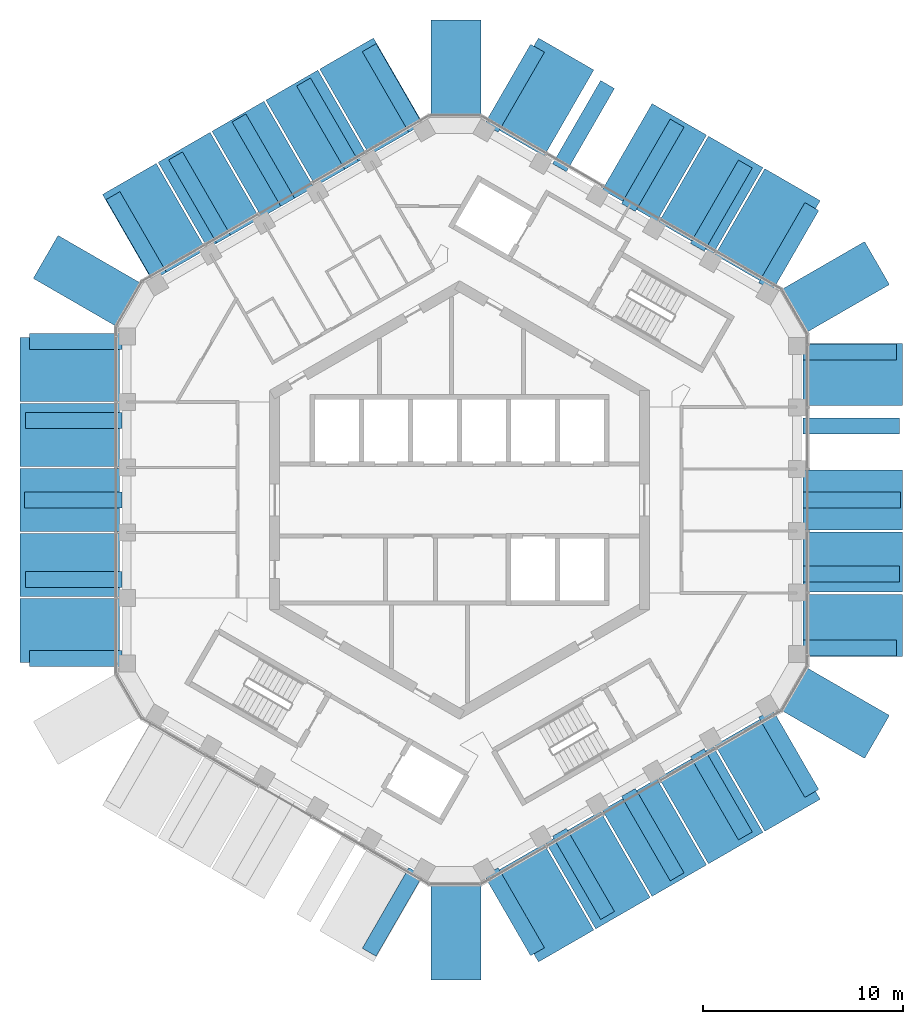
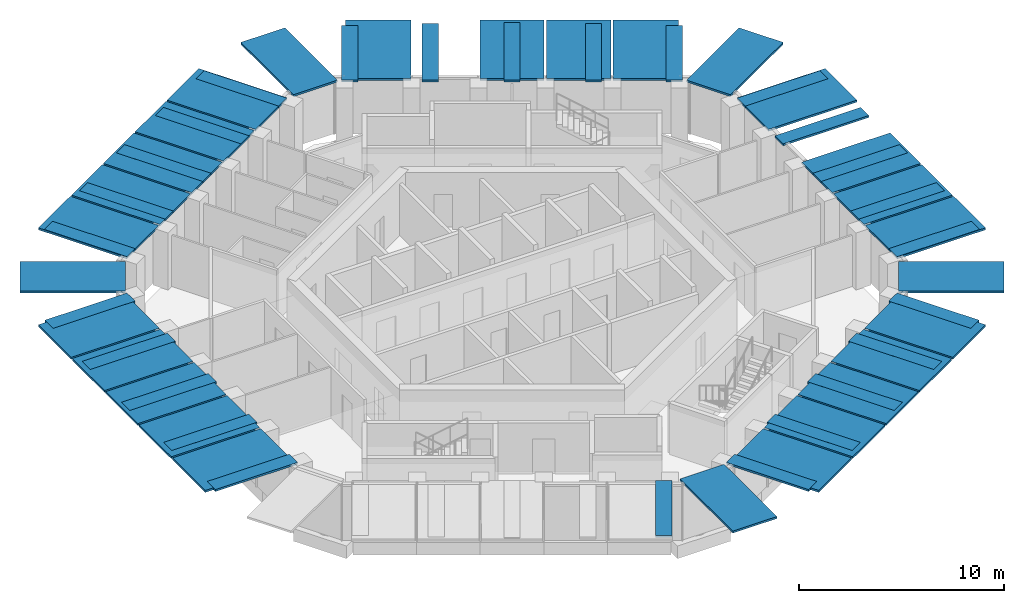
# One storey, part 15 of 17: 54 discrete accessories.
"""IFC4 building model written with IfcOpenShell, lengths in metres."""

from ifc_helpers import new_model, si_unit, direction, frame, origin, origin_2d, place, context, subcontext, project, spatial, polyline, rectangle, outline, extrude, material, layer, layer_set, type_object, element, save


model = new_model("IFC4")

# Units and contexts
model_context = context("Model", 3, precision=1e-05, world=origin(), true_north=direction((0.0, 1.0)))
body_context = subcontext(model_context, "Body", "Model", "MODEL_VIEW")
ifc_project = project(units=[si_unit("LENGTHUNIT", "METRE"), si_unit("AREAUNIT", "SQUARE_METRE"), si_unit("VOLUMEUNIT", "CUBIC_METRE"), si_unit("PLANEANGLEUNIT", "RADIAN"), si_unit("MASSUNIT", "GRAM", prefix="KILO")], contexts=[model_context])

# Site, building, storey
site_placement = place(None, origin())
site = spatial("IfcSite", under=ifc_project, at=site_placement, CompositionType="ELEMENT")
building_placement = place(site_placement, origin())
building = spatial("IfcBuilding", under=site, at=building_placement, Name="Ayvan Gate Tower", CompositionType="ELEMENT")
storey_placement = place(building_placement, frame((0.0, 0.0, 232.5)))
storey = spatial("IfcBuildingStorey", under=building, at=storey_placement, Name="L62", CompositionType="ELEMENT", Elevation=232.5)

# Discrete accessories
ifc_material = material(Name="Stainless steel 316", Category="steel")
ifc_layer = layer(ifc_material, 0.1201171875)
ifc_layer_set = layer_set([ifc_layer], Name="Stainless steel 316")
discrete_accessory_type = type_object("IfcDiscreteAccessoryType", Name="Fin carrier bracket", PredefinedType="BRACKET", material=ifc_layer_set)
discrete_accessory_1_placement = place(storey_placement, frame((-19.20458984375, -7.920654296875, 3.280029296875), z_axis=(0.0, 0.0, 1.0), x_axis=(0.0, -1.0, 0.0)))
element("IfcDiscreteAccessory", 1, at=discrete_accessory_1_placement, inside=storey, type_object=discrete_accessory_type, Name="Fin carrier 150", PredefinedType="BRACKET", context=body_context, shape_type="SweptSolid", body=[
    extrude(rectangle(XDim=0.800048828125, YDim=4.627685546875, at=origin_2d()), origin(), (0.0, 0.0, 1.0), 0.1201171875),
])
discrete_accessory_2_placement = place(storey_placement, frame((-19.295166015625, -3.9794921875, 3.280029296875), z_axis=(0.0, 0.0, 1.0), x_axis=(0.0, -1.0, 0.0)))
element("IfcDiscreteAccessory", 2, at=discrete_accessory_2_placement, inside=storey, type_object=discrete_accessory_type, Name="Fin carrier 158", PredefinedType="BRACKET", context=body_context, shape_type="SweptSolid", body=[
    extrude(rectangle(XDim=0.800048828125, YDim=4.80859375, at=origin_2d()), origin(), (0.0, 0.0, 1.0), 0.1201171875),
])
discrete_accessory_3_placement = place(storey_placement, frame((-19.328125, -0.000244140625, 3.280029296875), z_axis=(0.0, 0.0, 1.0), x_axis=(0.0, -1.0, 0.0)))
element("IfcDiscreteAccessory", 3, at=discrete_accessory_3_placement, inside=storey, type_object=discrete_accessory_type, Name="Fin carrier 167", PredefinedType="BRACKET", context=body_context, shape_type="SweptSolid", body=[
    extrude(rectangle(XDim=0.800048828125, YDim=4.875, at=origin_2d()), origin(), (0.0, 0.0, 1.0), 0.1201171875),
])
discrete_accessory_4_placement = place(storey_placement, frame((-19.295166015625, 3.979248046875, 3.280029296875), z_axis=(0.0, 0.0, 1.0), x_axis=(0.0, -1.0, 0.0)))
element("IfcDiscreteAccessory", 4, at=discrete_accessory_4_placement, inside=storey, type_object=discrete_accessory_type, Name="Fin carrier 175", PredefinedType="BRACKET", context=body_context, shape_type="SweptSolid", body=[
    extrude(rectangle(XDim=0.800048828125, YDim=4.80859375, at=origin_2d()), origin(), (0.0, 0.0, 1.0), 0.1201171875),
])
discrete_accessory_5_placement = place(storey_placement, frame((-19.20458984375, 7.92041015625, 3.280029296875), z_axis=(0.0, 0.0, 1.0), x_axis=(0.0, -1.0, 0.0)))
element("IfcDiscreteAccessory", 5, at=discrete_accessory_5_placement, inside=storey, type_object=discrete_accessory_type, Name="Fin carrier 183", PredefinedType="BRACKET", context=body_context, shape_type="SweptSolid", body=[
    extrude(rectangle(XDim=0.800048828125, YDim=4.627685546875, at=origin_2d()), origin(), (0.0, 0.0, 1.0), 0.1201171875),
])
discrete_accessory_6_placement = place(storey_placement, frame((-16.16748046875, 13.2041015625, 3.280029296875), z_axis=(0.0, 0.0, 1.0), x_axis=(-0.866025403784, -0.5, 0.0)))
element("IfcDiscreteAccessory", 6, at=discrete_accessory_6_placement, inside=storey, type_object=discrete_accessory_type, Name="Fin carrier 237", PredefinedType="BRACKET", context=body_context, shape_type="SweptSolid", body=[
    extrude(rectangle(XDim=0.800048828125, YDim=4.662841796875, at=origin_2d()), origin(), (0.0, 0.0, 1.0), 0.1201171875),
])
discrete_accessory_7_placement = place(storey_placement, frame((-12.99951171875, 15.12353515625, 3.280029296875), z_axis=(0.0, 0.0, 1.0), x_axis=(-0.866025403784, -0.5, 0.0)))
element("IfcDiscreteAccessory", 7, at=discrete_accessory_7_placement, inside=storey, type_object=discrete_accessory_type, Name="Fin carrier 299", PredefinedType="BRACKET", context=body_context, shape_type="SweptSolid", body=[
    extrude(rectangle(XDim=0.800048828125, YDim=4.819091796875, at=origin_2d()), origin(), (0.0, 0.0, 1.0), 0.1201171875),
])
discrete_accessory_8_placement = place(storey_placement, frame((-9.8125, 16.99560546875, 3.280029296875), z_axis=(0.0, 0.0, 1.0), x_axis=(-0.866025403784, -0.5, 0.0)))
element("IfcDiscreteAccessory", 8, at=discrete_accessory_8_placement, inside=storey, type_object=discrete_accessory_type, Name="Fin carrier 368", PredefinedType="BRACKET", context=body_context, shape_type="SweptSolid", body=[
    extrude(rectangle(XDim=0.800048828125, YDim=4.875, at=origin_2d()), origin(), (0.0, 0.0, 1.0), 0.1201171875),
])
discrete_accessory_9_placement = place(storey_placement, frame((-6.59765625, 18.819580078125, 3.280029296875), z_axis=(0.0, 0.0, 1.0), x_axis=(-0.866025403784, -0.5, 0.0)))
element("IfcDiscreteAccessory", 9, at=discrete_accessory_9_placement, inside=storey, type_object=discrete_accessory_type, Name="Fin carrier 430", PredefinedType="BRACKET", context=body_context, shape_type="SweptSolid", body=[
    extrude(rectangle(XDim=0.800048828125, YDim=4.819091796875, at=origin_2d()), origin(), (0.0, 0.0, 1.0), 0.1201171875),
])
for number, where, z_axis, x_axis, name in (
    (10, (-3.3515625, -20.603515625, 3.280029296875), (0.0, 0.0, 1.0), (0.866025403784, -0.5, 0.0), "Fin carrier 483"),
    (11, (-3.3515625, 20.603515625, 3.280029296875), (0.0, 0.0, 1.0), (-0.866025403784, -0.5, 0.0), "Fin carrier 495"),
):
    element("IfcDiscreteAccessory", number, at=place(storey_placement, frame(where, z_axis=z_axis, x_axis=x_axis)), inside=storey, type_object=discrete_accessory_type, Name=name, PredefinedType="BRACKET", context=body_context, shape_type="SweptSolid", body=[
        extrude(rectangle(XDim=0.800048828125, YDim=4.662841796875, at=origin_2d()), origin(), (0.0, 0.0, 1.0), 0.1201171875),
    ])
for number, where, z_axis, x_axis, name in (
    (12, (2.742919921875, -20.592041015625, 3.280029296875), (0.0, 0.0, 1.0), (0.866025403784, 0.5, 0.0), "Fin carrier 541"),
    (13, (2.742919921875, 20.592041015625, 3.280029296875), (0.0, 0.0, 1.0), (-0.866025403784, 0.5, 0.0), "Fin carrier 555"),
):
    element("IfcDiscreteAccessory", number, at=place(storey_placement, frame(where, z_axis=z_axis, x_axis=x_axis)), inside=storey, type_object=discrete_accessory_type, Name=name, PredefinedType="BRACKET", context=body_context, shape_type="SweptSolid", body=[
        extrude(rectangle(XDim=0.800048828125, YDim=4.627685546875, at=origin_2d()), origin(), (0.0, 0.0, 1.0), 0.1201171875),
    ])
for number, where, z_axis, x_axis, name in (
    (14, (6.201416015625, -18.69970703125, 3.280029296875), (0.0, 0.0, 1.0), (0.866025403784, 0.5, 0.0), "Fin carrier 601"),
    (15, (6.201171875, 18.69970703125, 3.280029296875), (0.0, 0.0, 1.0), (-0.866025403784, 0.5, 0.0), "Fin carrier 616"),
):
    element("IfcDiscreteAccessory", number, at=place(storey_placement, frame(where, z_axis=z_axis, x_axis=x_axis)), inside=storey, type_object=discrete_accessory_type, Name=name, PredefinedType="BRACKET", context=body_context, shape_type="SweptSolid", body=[
        extrude(rectangle(XDim=0.800048828125, YDim=4.80859375, at=origin_2d()), origin(), (0.0, 0.0, 1.0), 0.1201171875),
    ])
for number, where, z_axis, x_axis, name in (
    (16, (9.664306640625, -16.73876953125, 3.280029296875), (0.0, 0.0, 1.0), (0.866025403784, 0.5, 0.0), "Fin carrier 663"),
    (17, (9.6640625, 16.73876953125, 3.280029296875), (0.0, 0.0, 1.0), (-0.866025403784, 0.5, 0.0), "Fin carrier 680"),
):
    element("IfcDiscreteAccessory", number, at=place(storey_placement, frame(where, z_axis=z_axis, x_axis=x_axis)), inside=storey, type_object=discrete_accessory_type, Name=name, PredefinedType="BRACKET", context=body_context, shape_type="SweptSolid", body=[
        extrude(rectangle(XDim=0.800048828125, YDim=4.875, at=origin_2d()), origin(), (0.0, 0.0, 1.0), 0.1201171875),
    ])
for number, where, z_axis, x_axis, name in (
    (18, (13.093994140625, -14.72021484375, 3.280029296875), (0.0, 0.0, 1.0), (0.866025403784, 0.5, 0.0), "Fin carrier 732"),
    (19, (13.09375, 14.720458984375, 3.280029296875), (0.0, 0.0, 1.0), (-0.866025403784, 0.5, 0.0), "Fin carrier 743"),
):
    element("IfcDiscreteAccessory", number, at=place(storey_placement, frame(where, z_axis=z_axis, x_axis=x_axis)), inside=storey, type_object=discrete_accessory_type, Name=name, PredefinedType="BRACKET", context=body_context, shape_type="SweptSolid", body=[
        extrude(rectangle(XDim=0.800048828125, YDim=4.80859375, at=origin_2d()), origin(), (0.0, 0.0, 1.0), 0.1201171875),
    ])
for number, where, z_axis, x_axis, name in (
    (20, (16.461669921875, -12.67138671875, 3.280029296875), (0.0, 0.0, 1.0), (0.866025403784, 0.5, 0.0), "Fin carrier 798"),
    (21, (16.461669921875, 12.67138671875, 3.280029296875), (0.0, 0.0, 1.0), (-0.866025403784, 0.5, 0.0), "Fin carrier 806"),
):
    element("IfcDiscreteAccessory", number, at=place(storey_placement, frame(where, z_axis=z_axis, x_axis=x_axis)), inside=storey, type_object=discrete_accessory_type, Name=name, PredefinedType="BRACKET", context=body_context, shape_type="SweptSolid", body=[
        extrude(rectangle(XDim=0.800048828125, YDim=4.627685546875, at=origin_2d()), origin(), (0.0, 0.0, 1.0), 0.1201171875),
    ])
discrete_accessory_10_placement = place(storey_placement, frame((19.518798828125, -7.399169921875, 3.280029296875), z_axis=(0.0, 0.0, 1.0), x_axis=(0.0, 1.0, 0.0)))
element("IfcDiscreteAccessory", 22, at=discrete_accessory_10_placement, inside=storey, type_object=discrete_accessory_type, Name="Fin carrier 835", PredefinedType="BRACKET", context=body_context, shape_type="SweptSolid", body=[
    extrude(rectangle(XDim=0.800048828125, YDim=4.662841796875, at=origin_2d()), origin(), (0.0, 0.0, 1.0), 0.1201171875),
])
discrete_accessory_11_placement = place(storey_placement, frame((19.59716796875, -3.696044921875, 3.280029296875), z_axis=(0.0, 0.0, 1.0), x_axis=(0.0, 1.0, 0.0)))
element("IfcDiscreteAccessory", 23, at=discrete_accessory_11_placement, inside=storey, type_object=discrete_accessory_type, Name="Fin carrier 846", PredefinedType="BRACKET", context=body_context, shape_type="SweptSolid", body=[
    extrude(rectangle(XDim=0.800048828125, YDim=4.819091796875, at=origin_2d()), origin(), (0.0, 0.0, 1.0), 0.1201171875),
])
discrete_accessory_12_placement = place(storey_placement, frame((19.625, 0.0, 3.280029296875), z_axis=(0.0, 0.0, 1.0), x_axis=(0.0, 1.0, 0.0)))
element("IfcDiscreteAccessory", 24, at=discrete_accessory_12_placement, inside=storey, type_object=discrete_accessory_type, Name="Fin carrier 859", PredefinedType="BRACKET", context=body_context, shape_type="SweptSolid", body=[
    extrude(rectangle(XDim=0.800048828125, YDim=4.875, at=origin_2d()), origin(), (0.0, 0.0, 1.0), 0.1201171875),
])
discrete_accessory_13_placement = place(storey_placement, frame((19.59716796875, 3.6962890625, 3.280029296875), z_axis=(0.0, 0.0, 1.0), x_axis=(0.0, 1.0, 0.0)))
element("IfcDiscreteAccessory", 25, at=discrete_accessory_13_placement, inside=storey, type_object=discrete_accessory_type, Name="Fin carrier 870", PredefinedType="BRACKET", context=body_context, shape_type="SweptSolid", body=[
    extrude(rectangle(XDim=0.800048828125, YDim=4.819091796875, at=origin_2d()), origin(), (0.0, 0.0, 1.0), 0.1201171875),
])
discrete_accessory_14_placement = place(storey_placement, frame((19.518798828125, 7.399169921875, 3.280029296875), z_axis=(0.0, 0.0, 1.0), x_axis=(0.0, 1.0, 0.0)))
element("IfcDiscreteAccessory", 26, at=discrete_accessory_14_placement, inside=storey, type_object=discrete_accessory_type, Name="Fin carrier 883", PredefinedType="BRACKET", context=body_context, shape_type="SweptSolid", body=[
    extrude(rectangle(XDim=0.800048828125, YDim=4.662841796875, at=origin_2d()), origin(), (0.0, 0.0, 1.0), 0.1201171875),
])
discrete_accessory_15_placement = place(storey_placement, frame((0.0, 0.0, 3.280029296875)))
element("IfcDiscreteAccessory", 27, at=discrete_accessory_15_placement, inside=storey, type_object=discrete_accessory_type, Name="Fin carrier 1142", PredefinedType="BRACKET", context=body_context, shape_type="SweptSolid", body=[
    extrude(outline(polyline([(-4.5048828125, 17.24560546875), (-6.9921875, 21.553955078125), (-4.30322265625, 23.1064453125), (-1.81591796875, 18.798095703125), (-1.839599609375, 18.784423828125), (-4.1708984375, 22.822509765625), (-4.86376953125, 22.422607421875), (-2.5322265625, 18.384521484375), (-4.5048828125, 17.24560546875)])), origin(), (0.0, 0.0, 1.0), 0.119873046875),
])
discrete_accessory_16_placement = place(storey_placement, frame((0.0, 0.0, 3.280029296875)))
element("IfcDiscreteAccessory", 28, at=discrete_accessory_16_placement, inside=storey, type_object=discrete_accessory_type, Name="Fin carrier 1143", PredefinedType="BRACKET", context=body_context, shape_type="SweptSolid", body=[
    extrude(outline(polyline([(-7.087646484375, 21.4990234375), (-4.60009765625, 17.1904296875), (-7.198974609375, 15.68994140625), (-9.6865234375, 19.99853515625), (-7.087646484375, 21.4990234375)])), origin(), (0.0, 0.0, 1.0), 0.119873046875),
])
discrete_accessory_17_placement = place(storey_placement, frame((0.0, 0.0, 3.280029296875)))
element("IfcDiscreteAccessory", 29, at=discrete_accessory_17_placement, inside=storey, type_object=discrete_accessory_type, Name="Fin carrier 1144", PredefinedType="BRACKET", context=body_context, shape_type="SweptSolid", body=[
    extrude(outline(polyline([(-9.78173828125, 19.943603515625), (-7.294189453125, 15.635009765625), (-9.893310546875, 14.134521484375), (-12.380615234375, 18.443115234375), (-9.78173828125, 19.943603515625)])), origin(), (0.0, 0.0, 1.0), 0.119873046875),
])
discrete_accessory_18_placement = place(storey_placement, frame((0.0, 0.0, 3.280029296875)))
element("IfcDiscreteAccessory", 30, at=discrete_accessory_18_placement, inside=storey, type_object=discrete_accessory_type, Name="Fin carrier 1145", PredefinedType="BRACKET", context=body_context, shape_type="SweptSolid", body=[
    extrude(outline(polyline([(-12.47607421875, 18.387939453125), (-9.988525390625, 14.07958984375), (-12.58740234375, 12.5791015625), (-15.074951171875, 16.887451171875), (-12.47607421875, 18.387939453125)])), origin(), (0.0, 0.0, 1.0), 0.119873046875),
])
discrete_accessory_19_placement = place(storey_placement, frame((0.0, 0.0, 3.280029296875)))
element("IfcDiscreteAccessory", 31, at=discrete_accessory_19_placement, inside=storey, type_object=discrete_accessory_type, Name="Fin carrier 1146", PredefinedType="BRACKET", context=body_context, shape_type="SweptSolid", body=[
    extrude(outline(polyline([(-15.170166015625, 16.83251953125), (-12.6826171875, 12.52392578125), (-15.37158203125, 10.9716796875), (-17.859130859375, 15.280029296875), (-15.170166015625, 16.83251953125)])), origin(), (0.0, 0.0, 1.0), 0.119873046875),
])
discrete_accessory_20_placement = place(storey_placement, frame((0.0, 0.0, 3.280029296875)))
element("IfcDiscreteAccessory", 32, at=discrete_accessory_20_placement, inside=storey, type_object=discrete_accessory_type, Name="Fin carrier 1147", PredefinedType="BRACKET", context=body_context, shape_type="SweptSolid", body=[
    extrude(outline(polyline([(-20.081787109375, 13.233154296875), (-15.62841796875, 10.662109375), (-16.869873046875, 8.51220703125), (-21.322998046875, 11.083251953125), (-20.081787109375, 13.233154296875)])), origin(), (0.0, 0.0, 1.0), 0.119873046875),
])
discrete_accessory_21_placement = place(storey_placement, frame((0.0, 0.0, 3.280029296875)))
element("IfcDiscreteAccessory", 33, at=discrete_accessory_21_placement, inside=storey, type_object=discrete_accessory_type, Name="Fin carrier 1148", PredefinedType="BRACKET", context=body_context, shape_type="SweptSolid", body=[
    extrude(outline(polyline([(-17.009521484375, 4.93798828125), (-21.984619140625, 4.93798828125), (-21.984619140625, 8.135009765625), (-21.5185546875, 8.135009765625), (-21.5185546875, 7.5205078125), (-17.009521484375, 7.5205078125), (-17.009521484375, 4.93798828125)])), origin(), (0.0, 0.0, 1.0), 0.119873046875),
])
discrete_accessory_22_placement = place(storey_placement, frame((0.0, 0.0, 3.280029296875)))
element("IfcDiscreteAccessory", 34, at=discrete_accessory_22_placement, inside=storey, type_object=discrete_accessory_type, Name="Fin carrier 1149", PredefinedType="BRACKET", context=body_context, shape_type="SweptSolid", body=[
    extrude(outline(polyline([(-17.009521484375, 1.682861328125), (-21.984619140625, 1.682861328125), (-21.984619140625, 4.827880859375), (-17.009521484375, 4.827880859375), (-17.009521484375, 4.379150390625), (-21.699462890625, 4.379150390625), (-21.699462890625, 3.5791015625), (-17.009521484375, 3.5791015625), (-17.009521484375, 1.682861328125)])), origin(), (0.0, 0.0, 1.0), 0.119873046875),
])
discrete_accessory_23_placement = place(storey_placement, frame((0.0, 0.0, 3.280029296875)))
element("IfcDiscreteAccessory", 35, at=discrete_accessory_23_placement, inside=storey, type_object=discrete_accessory_type, Name="Fin carrier 1150", PredefinedType="BRACKET", context=body_context, shape_type="SweptSolid", body=[
    extrude(outline(polyline([(-17.009521484375, -1.572021484375), (-21.984619140625, -1.572021484375), (-21.984619140625, 1.572998046875), (-17.009521484375, 1.572998046875), (-17.009521484375, 0.39990234375), (-21.765625, 0.39990234375), (-21.765625, -0.400146484375), (-17.009521484375, -0.400146484375), (-17.009521484375, -1.572021484375)])), origin(), (0.0, 0.0, 1.0), 0.119873046875),
])
discrete_accessory_24_placement = place(storey_placement, frame((0.0, 0.0, 3.280029296875)))
element("IfcDiscreteAccessory", 36, at=discrete_accessory_24_placement, inside=storey, type_object=discrete_accessory_type, Name="Fin carrier 1151", PredefinedType="BRACKET", context=body_context, shape_type="SweptSolid", body=[
    extrude(outline(polyline([(-17.009521484375, -4.828125), (-21.984619140625, -4.828125), (-21.984619140625, -1.68212890625), (-17.009521484375, -1.68212890625), (-17.009521484375, -3.57958984375), (-21.699462890625, -3.57958984375), (-21.699462890625, -4.37939453125), (-17.009521484375, -4.37939453125), (-17.009521484375, -4.828125)])), origin(), (0.0, 0.0, 1.0), 0.119873046875),
])
discrete_accessory_25_placement = place(storey_placement, frame((0.0, 0.0, 3.280029296875)))
element("IfcDiscreteAccessory", 37, at=discrete_accessory_25_placement, inside=storey, type_object=discrete_accessory_type, Name="Fin carrier 1152", PredefinedType="BRACKET", context=body_context, shape_type="SweptSolid", body=[
    extrude(outline(polyline([(-21.984619140625, -8.135009765625), (-21.984619140625, -4.93798828125), (-17.009521484375, -4.93798828125), (-17.009521484375, -7.5205078125), (-21.5185546875, -7.5205078125), (-21.5185546875, -8.135009765625), (-21.984619140625, -8.135009765625)])), origin(), (0.0, 0.0, 1.0), 0.119873046875),
])
discrete_accessory_26_placement = place(storey_placement, frame((0.0, 0.0, 3.280029296875)))
element("IfcDiscreteAccessory", 38, at=discrete_accessory_26_placement, inside=storey, type_object=discrete_accessory_type, Name="Fin carrier 1158", PredefinedType="BRACKET", context=body_context, shape_type="SweptSolid", body=[
    extrude(outline(polyline([(-1.419189453125, -24.0078125), (-1.419189453125, -18.86572265625), (1.063232421875, -18.86572265625), (1.063232421875, -24.0078125), (-1.419189453125, -24.0078125)])), origin(), (0.0, 0.0, 1.0), 0.119873046875),
])
discrete_accessory_27_placement = place(storey_placement, frame((0.0, 0.0, 3.280029296875)))
element("IfcDiscreteAccessory", 39, at=discrete_accessory_27_placement, inside=storey, type_object=discrete_accessory_type, Name="Fin carrier 1159", PredefinedType="BRACKET", context=body_context, shape_type="SweptSolid", body=[
    extrude(outline(polyline([(4.228515625, -17.199462890625), (6.7158203125, -21.508056640625), (3.947265625, -23.1064453125), (3.71435546875, -22.702880859375), (4.246337890625, -22.395751953125), (1.99169921875, -18.49072265625), (4.228515625, -17.199462890625)])), origin(), (0.0, 0.0, 1.0), 0.119873046875),
])
discrete_accessory_28_placement = place(storey_placement, frame((0.0, 0.0, 3.280029296875)))
element("IfcDiscreteAccessory", 40, at=discrete_accessory_28_placement, inside=storey, type_object=discrete_accessory_type, Name="Fin carrier 1160", PredefinedType="BRACKET", context=body_context, shape_type="SweptSolid", body=[
    extrude(outline(polyline([(7.04736328125, -15.572021484375), (9.534912109375, -19.880615234375), (6.811279296875, -21.452880859375), (4.32373046875, -17.14453125), (4.712158203125, -16.920166015625), (7.05712890625, -20.98193359375), (7.75, -20.581787109375), (5.405029296875, -16.520263671875), (7.04736328125, -15.572021484375)])), origin(), (0.0, 0.0, 1.0), 0.119873046875),
])
discrete_accessory_29_placement = place(storey_placement, frame((0.0, 0.0, 3.280029296875)))
element("IfcDiscreteAccessory", 41, at=discrete_accessory_29_placement, inside=storey, type_object=discrete_accessory_type, Name="Fin carrier 1161", PredefinedType="BRACKET", context=body_context, shape_type="SweptSolid", body=[
    extrude(outline(polyline([(9.8662109375, -13.944580078125), (12.353759765625, -18.2529296875), (9.630126953125, -19.825439453125), (7.142578125, -15.51708984375), (8.158447265625, -14.9306640625), (10.53662109375, -19.049560546875), (11.2294921875, -18.6494140625), (8.851318359375, -14.530517578125), (9.8662109375, -13.944580078125)])), origin(), (0.0, 0.0, 1.0), 0.119873046875),
])
discrete_accessory_30_placement = place(storey_placement, frame((0.0, 0.0, 3.280029296875)))
element("IfcDiscreteAccessory", 42, at=discrete_accessory_30_placement, inside=storey, type_object=discrete_accessory_type, Name="Fin carrier 1162", PredefinedType="BRACKET", context=body_context, shape_type="SweptSolid", body=[
    extrude(outline(polyline([(12.68603515625, -12.31640625), (15.173583984375, -16.625), (12.448974609375, -18.197998046875), (9.96142578125, -13.889404296875), (11.604736328125, -12.94091796875), (13.94970703125, -17.00244140625), (14.642578125, -16.6025390625), (12.297607421875, -12.541015625), (12.68603515625, -12.31640625)])), origin(), (0.0, 0.0, 1.0), 0.119873046875),
])
discrete_accessory_31_placement = place(storey_placement, frame((0.0, 0.0, 3.280029296875)))
element("IfcDiscreteAccessory", 43, at=discrete_accessory_31_placement, inside=storey, type_object=discrete_accessory_type, Name="Fin carrier 1163", PredefinedType="BRACKET", context=body_context, shape_type="SweptSolid", body=[
    extrude(outline(polyline([(18.037109375, -14.9716796875), (15.268798828125, -16.570068359375), (12.78125, -12.261474609375), (15.017578125, -10.97021484375), (17.272216796875, -14.875244140625), (17.80419921875, -14.568115234375), (18.037109375, -14.9716796875)])), origin(), (0.0, 0.0, 1.0), 0.119873046875),
])
discrete_accessory_32_placement = place(storey_placement, frame((0.0, 0.0, 3.280029296875)))
element("IfcDiscreteAccessory", 44, at=discrete_accessory_32_placement, inside=storey, type_object=discrete_accessory_type, Name="Fin carrier 1164", PredefinedType="BRACKET", context=body_context, shape_type="SweptSolid", body=[
    extrude(outline(polyline([(20.259765625, -12.9248046875), (15.806640625, -10.353759765625), (17.0478515625, -8.20361328125), (21.501220703125, -10.77490234375), (20.259765625, -12.9248046875)])), origin(), (0.0, 0.0, 1.0), 0.119873046875),
])
discrete_accessory_33_placement = place(storey_placement, frame((0.0, 0.0, 3.280029296875)))
element("IfcDiscreteAccessory", 45, at=discrete_accessory_33_placement, inside=storey, type_object=discrete_accessory_type, Name="Fin carrier 1165", PredefinedType="BRACKET", context=body_context, shape_type="SweptSolid", body=[
    extrude(outline(polyline([(22.16259765625, -7.826416015625), (17.1875, -7.826416015625), (17.1875, -4.721435546875), (22.16259765625, -4.721435546875), (22.16259765625, -7.826416015625)])), origin(), (0.0, 0.0, 1.0), 0.119873046875),
])
discrete_accessory_34_placement = place(storey_placement, frame((0.0, 0.0, 3.280029296875)))
element("IfcDiscreteAccessory", 46, at=discrete_accessory_34_placement, inside=storey, type_object=discrete_accessory_type, Name="Fin carrier 1166", PredefinedType="BRACKET", context=body_context, shape_type="SweptSolid", body=[
    extrude(outline(polyline([(22.16259765625, -4.611572265625), (17.1875, -4.611572265625), (17.1875, -1.610595703125), (22.16259765625, -1.610595703125), (22.16259765625, -4.611572265625)])), origin(), (0.0, 0.0, 1.0), 0.119873046875),
])
discrete_accessory_35_placement = place(storey_placement, frame((0.0, 0.0, 3.280029296875)))
element("IfcDiscreteAccessory", 47, at=discrete_accessory_35_placement, inside=storey, type_object=discrete_accessory_type, Name="Fin carrier 1167", PredefinedType="BRACKET", context=body_context, shape_type="SweptSolid", body=[
    extrude(outline(polyline([(22.16259765625, -1.50048828125), (17.1875, -1.50048828125), (17.1875, 1.50048828125), (22.16259765625, 1.50048828125), (22.16259765625, -1.50048828125)])), origin(), (0.0, 0.0, 1.0), 0.119873046875),
])
discrete_accessory_36_placement = place(storey_placement, frame((0.0, 0.0, 3.280029296875)))
element("IfcDiscreteAccessory", 48, at=discrete_accessory_36_placement, inside=storey, type_object=discrete_accessory_type, Name="Fin carrier 1168", PredefinedType="BRACKET", context=body_context, shape_type="SweptSolid", body=[
    extrude(outline(polyline([(17.1875, 7.826416015625), (22.16259765625, 7.826416015625), (22.16259765625, 4.721435546875), (17.1875, 4.721435546875), (17.1875, 6.999267578125), (21.850341796875, 6.999267578125), (21.850341796875, 7.79931640625), (17.1875, 7.79931640625), (17.1875, 7.826416015625)])), origin(), (0.0, 0.0, 1.0), 0.119873046875),
])
discrete_accessory_37_placement = place(storey_placement, frame((0.0, 0.0, 3.280029296875)))
element("IfcDiscreteAccessory", 49, at=discrete_accessory_37_placement, inside=storey, type_object=discrete_accessory_type, Name="Fin carrier 1169", PredefinedType="BRACKET", context=body_context, shape_type="SweptSolid", body=[
    extrude(outline(polyline([(21.501220703125, 10.77490234375), (17.0478515625, 8.20361328125), (15.806640625, 10.353759765625), (20.259765625, 12.9248046875), (21.501220703125, 10.77490234375)])), origin(), (0.0, 0.0, 1.0), 0.119873046875),
])
discrete_accessory_38_placement = place(storey_placement, frame((0.0, 0.0, 3.280029296875)))
element("IfcDiscreteAccessory", 50, at=discrete_accessory_38_placement, inside=storey, type_object=discrete_accessory_type, Name="Fin carrier 1170", PredefinedType="BRACKET", context=body_context, shape_type="SweptSolid", body=[
    extrude(outline(polyline([(12.781005859375, 12.26171875), (15.2685546875, 16.5703125), (18.037109375, 14.9716796875), (17.80419921875, 14.568115234375), (17.272216796875, 14.875244140625), (15.017578125, 10.970458984375), (12.781005859375, 12.26171875)])), origin(), (0.0, 0.0, 1.0), 0.119873046875),
])
discrete_accessory_39_placement = place(storey_placement, frame((0.0, 0.0, 3.280029296875)))
element("IfcDiscreteAccessory", 51, at=discrete_accessory_39_placement, inside=storey, type_object=discrete_accessory_type, Name="Fin carrier 1171", PredefinedType="BRACKET", context=body_context, shape_type="SweptSolid", body=[
    extrude(outline(polyline([(9.962158203125, 13.88916015625), (12.44970703125, 18.19775390625), (15.17333984375, 16.625244140625), (12.685791015625, 12.316650390625), (12.29736328125, 12.541015625), (14.64208984375, 16.6025390625), (13.949462890625, 17.002685546875), (11.6044921875, 12.94091796875), (9.962158203125, 13.88916015625)])), origin(), (0.0, 0.0, 1.0), 0.119873046875),
])
discrete_accessory_40_placement = place(storey_placement, frame((0.0, 0.0, 3.280029296875)))
element("IfcDiscreteAccessory", 52, at=discrete_accessory_40_placement, inside=storey, type_object=discrete_accessory_type, Name="Fin carrier 1172", PredefinedType="BRACKET", context=body_context, shape_type="SweptSolid", body=[
    extrude(outline(polyline([(7.143310546875, 15.5166015625), (9.630615234375, 19.8251953125), (12.3544921875, 18.252685546875), (9.866943359375, 13.944091796875), (8.85107421875, 14.53076171875), (11.22900390625, 18.649658203125), (10.536376953125, 19.0498046875), (8.158203125, 14.9306640625), (7.143310546875, 15.5166015625)])), origin(), (0.0, 0.0, 1.0), 0.119873046875),
])
discrete_accessory_41_placement = place(storey_placement, frame((0.0, 0.0, 3.280029296875)))
element("IfcDiscreteAccessory", 53, at=discrete_accessory_41_placement, inside=storey, type_object=discrete_accessory_type, Name="Fin carrier 1173", PredefinedType="BRACKET", context=body_context, shape_type="SweptSolid", body=[
    extrude(outline(polyline([(3.947265625, 23.1064453125), (6.7158203125, 21.50830078125), (4.228271484375, 17.19970703125), (1.99169921875, 18.490966796875), (4.24609375, 22.395751953125), (3.714111328125, 22.702880859375), (3.947265625, 23.1064453125)])), origin(), (0.0, 0.0, 1.0), 0.119873046875),
])
discrete_accessory_42_placement = place(storey_placement, frame((0.0, 0.0, 3.280029296875)))
element("IfcDiscreteAccessory", 54, at=discrete_accessory_42_placement, inside=storey, type_object=discrete_accessory_type, Name="Fin carrier 1174", PredefinedType="BRACKET", context=body_context, shape_type="SweptSolid", body=[
    extrude(outline(polyline([(1.063232421875, 24.0078125), (1.063232421875, 18.86572265625), (-1.419189453125, 18.86572265625), (-1.419189453125, 24.0078125), (1.063232421875, 24.0078125)])), origin(), (0.0, 0.0, 1.0), 0.119873046875),
])

save(model, "model.ifc")
